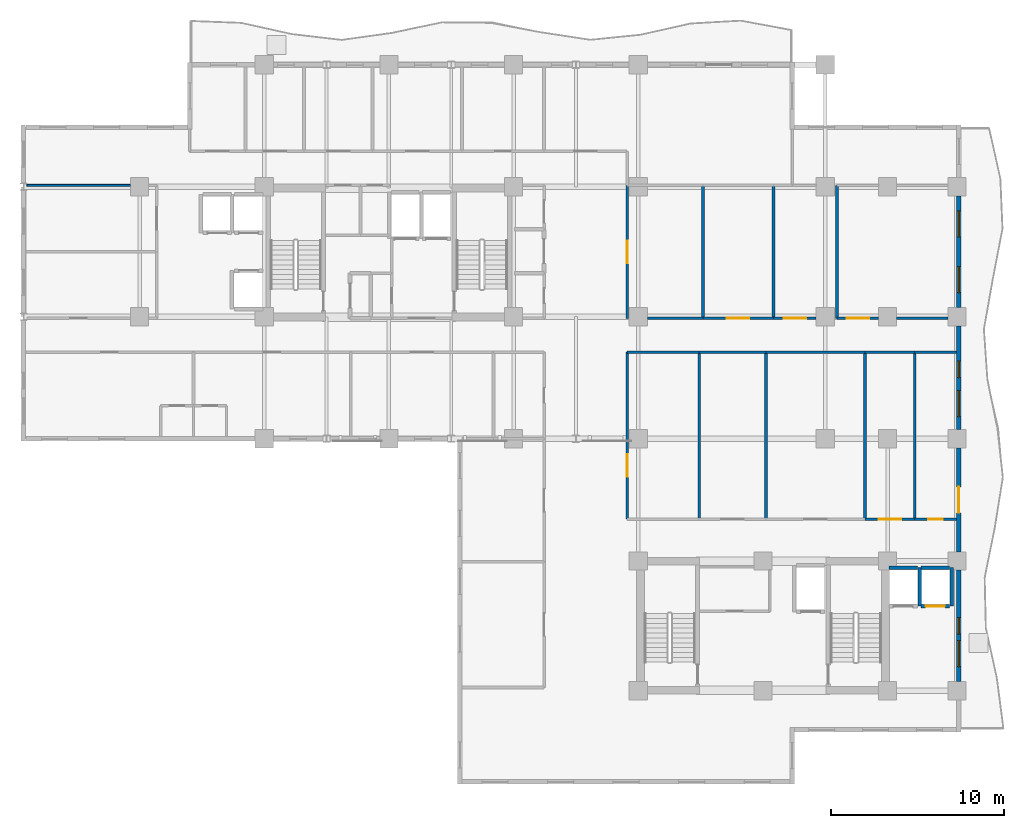
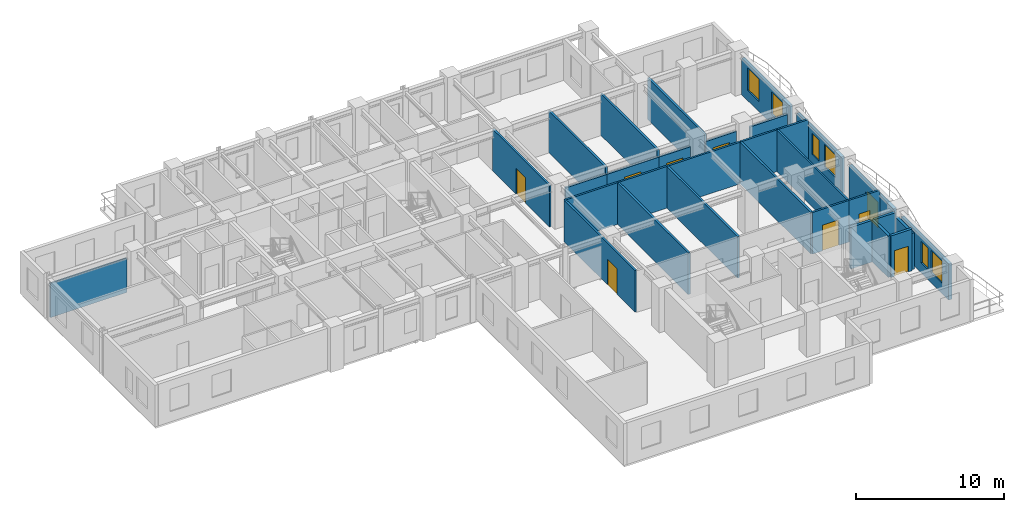
# One storey, part 7 of 13: 31 walls, 9 doors, 6 windows, 15 openings.
"""IFC4 building model written with IfcOpenShell, lengths in metres."""

import ifcopenshell
import ifcopenshell.guid

model = None  # the IFC model being written
_history = None  # IfcOwnerHistory: only IFC2X3 demands one
_inside = {}  # id of a spatial element -> (the spatial element, [elements in it])
_under = {}  # id of a project, library or spatial element -> (it, [spatial elements below it])
_declared = {}  # id of a project -> (the project, [libraries it declares])
_typed = {}  # id of a type object -> (the type object, [elements of that type])
_made_of = {}  # id of a material, layer set ... -> (it, [elements and type objects made of it])


def new_model(schema):
    """Start an empty IFC model of exactly this schema.

    Asked for "IFC4X3", IfcOpenShell would pick the latest addendum, in which some entities
    have other attributes; the version numbers below select the first issue.
    IFC2X3 requires an IfcOwnerHistory on every rooted entity: one is made here for all.
    """
    global model, _history
    if schema == "IFC4X3":
        model = ifcopenshell.file(schema_version=(4, 3, 0, 0))
    else:
        model = ifcopenshell.file(schema=schema)
    _inside.clear()
    _under.clear()
    _declared.clear()
    _typed.clear()
    _made_of.clear()
    _history = None
    if model.schema == "IFC2X3":
        org = make("IfcOrganization", Name="unknown")
        user = make(
            "IfcPersonAndOrganization",
            ThePerson=make("IfcPerson", FamilyName="unknown"),
            TheOrganization=org,
        )
        app = make(
            "IfcApplication",
            ApplicationDeveloper=org,
            Version="unknown",
            ApplicationFullName="unknown",
            ApplicationIdentifier="unknown",
        )
        _history = make(
            "IfcOwnerHistory",
            OwningUser=user,
            OwningApplication=app,
            ChangeAction="ADDED",
            CreationDate=0,
        )
    return model


def make(cls, **values):
    """One entity of the class cls with the attributes given. An attribute that is None is left unset."""
    return model.create_entity(
        cls, **{name: value for name, value in values.items() if value is not None}
    )


def rooted(cls, **values):
    """An entity with a GlobalId (a new one), such as an element, a storey or a relation."""
    return make(cls, GlobalId=ifcopenshell.guid.new(), OwnerHistory=_history, **values)


def si_unit(unit_type, name, prefix=None):
    """IfcSIUnit, for example si_unit("LENGTHUNIT", "METRE", prefix="MILLI")."""
    return make("IfcSIUnit", UnitType=unit_type, Prefix=prefix, Name=name)


def assignment(units):
    """IfcUnitAssignment: the units of a project."""
    return None if units is None else make("IfcUnitAssignment", Units=units)


def point(xyz):
    """IfcCartesianPoint."""
    return None if xyz is None else make("IfcCartesianPoint", Coordinates=xyz)


def direction(xyz):
    """IfcDirection."""
    return None if xyz is None else make("IfcDirection", DirectionRatios=xyz)


def frame(location, z_axis=None, x_axis=None):
    """IfcAxis2Placement3D, a coordinate frame: its origin and axes. An axis left out is left unset."""
    return make(
        "IfcAxis2Placement3D",
        Location=point(location),
        Axis=direction(z_axis),
        RefDirection=direction(x_axis),
    )


def frame_2d(location, x_axis=None):
    """IfcAxis2Placement2D, a coordinate frame in the plane: its origin and x axis."""
    return make(
        "IfcAxis2Placement2D", Location=point(location), RefDirection=direction(x_axis)
    )


def origin():
    """The frame at (0, 0, 0) with its axes left unset."""
    return frame((0.0, 0.0, 0.0))


def place(relative_to, where):
    """IfcLocalPlacement: puts the frame where relative to a parent placement (None: the world)."""
    return make(
        "IfcLocalPlacement", PlacementRelTo=relative_to, RelativePlacement=where
    )


def context(
    kind, dimensions, precision=None, world=None, true_north=None, identifier=None
):
    """IfcGeometricRepresentationContext, for example the 3D "Model" context."""
    return make(
        "IfcGeometricRepresentationContext",
        ContextIdentifier=identifier,
        ContextType=kind,
        CoordinateSpaceDimension=dimensions,
        Precision=precision,
        WorldCoordinateSystem=world,
        TrueNorth=true_north,
    )


def subcontext(parent, identifier, kind, view, scale=None):
    """IfcGeometricRepresentationSubContext, for example "Body" below "Model"."""
    return make(
        "IfcGeometricRepresentationSubContext",
        ContextIdentifier=identifier,
        ContextType=kind,
        ParentContext=parent,
        TargetScale=scale,
        TargetView=view,
    )


def project(units=None, contexts=None):
    """IfcProject with its units and contexts."""
    return rooted(
        "IfcProject",
        Name="project",
        RepresentationContexts=contexts,
        UnitsInContext=assignment(units),
    )


def spatial(cls, under=None, at=None, **own):
    """A site, building, storey or space (cls), placed at a placement, below another one or the project."""
    s = rooted(cls, ObjectPlacement=at, **own)
    if under is not None:
        _under.setdefault(under.id(), (under, []))[1].append(s)
    return s


def profile(cls, at=None, kind="AREA", **sizes):
    """A parametric profile (cls). Its sizes go by their IFC names, for example OverallWidth=200.0."""
    return make(cls, ProfileType=kind, Position=at, **sizes)


def rectangle(**sizes):
    """IfcRectangleProfileDef."""
    return profile("IfcRectangleProfileDef", **sizes)


def extrude(swept, where, along, depth):
    """IfcExtrudedAreaSolid: the profile swept, set in the frame where, extruded along a direction by depth."""
    return make(
        "IfcExtrudedAreaSolid",
        SweptArea=swept,
        Position=where,
        ExtrudedDirection=direction(along),
        Depth=depth,
    )


def shape(context_of_items, identifier, shape_type, items):
    """IfcShapeRepresentation: the items that make up one representation, for example the "Body"."""
    return make(
        "IfcShapeRepresentation",
        ContextOfItems=context_of_items,
        RepresentationIdentifier=identifier,
        RepresentationType=shape_type,
        Items=items,
    )


def material(Name=None, Category=None):
    """IfcMaterial."""
    return make("IfcMaterial", Name=Name, Category=Category)


def layer(
    of_material, thickness, ventilated=None, Name=None, Category=None, Priority=None
):
    """IfcMaterialLayer: one layer of a wall or slab, of a material (None: an air gap)."""
    return make(
        "IfcMaterialLayer",
        Material=of_material,
        LayerThickness=thickness,
        IsVentilated=ventilated,
        Name=Name,
        Category=Category,
        Priority=Priority,
    )


def layer_set(layers, Name=None):
    """IfcMaterialLayerSet."""
    return make("IfcMaterialLayerSet", MaterialLayers=layers, LayerSetName=Name)


def made_of(thing, what):
    """Note that an element or type object is made of a material, layer set ...; save() writes the relation."""
    if what is not None:
        _made_of.setdefault(what.id(), (what, []))[1].append(thing)
    return thing


def type_object(cls, material=None, **own):
    """A type object (cls), such as IfcWallType, which elements share."""
    return made_of(rooted(cls, **own), material)


def element(
    cls,
    number,
    at=None,
    inside=None,
    cuts=None,
    type_object=None,
    material=None,
    context=None,
    identifier="Body",
    shape_type=None,
    held_by="IfcProductDefinitionShape",
    body=None,
    shapes=None,
    **own,
):
    """One element of the class cls, such as IfcWall. Its Tag is "e" and its number.

    at: its placement. inside: the storey or other place that contains it. cuts: it is an
    opening in that element (IfcRelVoidsElement). A single representation is given by context,
    identifier, shape_type and body (its items); several are given by shapes. held_by: the class
    of the entity that holds the representations. save() writes the other relations.
    """
    e = rooted(cls, Tag="e%d" % number, ObjectPlacement=at, **own)
    if body is not None:
        shapes = [shape(context, identifier, shape_type, body)]
    if shapes is not None:
        e.Representation = make(held_by, Representations=shapes)
    if inside is not None:
        _inside.setdefault(inside.id(), (inside, []))[1].append(e)
    if cuts is not None:
        rooted(
            "IfcRelVoidsElement", RelatingBuildingElement=cuts, RelatedOpeningElement=e
        )
    if type_object is not None:
        _typed.setdefault(type_object.id(), (type_object, []))[1].append(e)
    return made_of(e, material)


def fill(opening, filler):
    """IfcRelFillsElement: the door or window that sits in an opening."""
    return rooted(
        "IfcRelFillsElement",
        RelatingOpeningElement=opening,
        RelatedBuildingElement=filler,
    )


def aggregate(whole, parts):
    """IfcRelAggregates: a whole, such as a stair, and the parts it consists of."""
    return rooted("IfcRelAggregates", RelatingObject=whole, RelatedObjects=parts)


def save(model, path):
    """Write the relations noted so far, then the file.

    IfcRelAggregates (storeys below a building ...), IfcRelContainedInSpatialStructure (elements
    in a storey), IfcRelDefinesByType, IfcRelAssociatesMaterial and IfcRelDeclares: one each for
    every whole, place, type object, material and project.
    """
    for whole, parts in _under.values():
        aggregate(whole, parts)
    for where, things in _inside.values():
        rooted(
            "IfcRelContainedInSpatialStructure",
            RelatedElements=things,
            RelatingStructure=where,
        )
    for kind, things in _typed.values():
        rooted("IfcRelDefinesByType", RelatedObjects=things, RelatingType=kind)
    for what, things in _made_of.values():
        rooted("IfcRelAssociatesMaterial", RelatedObjects=things, RelatingMaterial=what)
    for by, libraries in _declared.values():
        rooted("IfcRelDeclares", RelatingContext=by, RelatedDefinitions=libraries)
    model.write(path)


model = new_model("IFC4")

# Units and contexts
model_context = context("Model", 3, precision=1e-05, world=origin(), true_north=direction((0.0, 1.0)))
body_context = subcontext(model_context, "Body", "Model", "MODEL_VIEW")
ifc_project = project(units=[si_unit("LENGTHUNIT", "METRE"), si_unit("AREAUNIT", "SQUARE_METRE"), si_unit("VOLUMEUNIT", "CUBIC_METRE"), si_unit("PLANEANGLEUNIT", "RADIAN"), si_unit("MASSUNIT", "GRAM", prefix="KILO")], contexts=[model_context])

# Site, building, storey
site_placement = place(None, origin())
site = spatial("IfcSite", under=ifc_project, at=site_placement, CompositionType="ELEMENT")
building_placement = place(site_placement, origin())
building = spatial("IfcBuilding", under=site, at=building_placement, Name="Kaliganga Portal Commons", CompositionType="ELEMENT")
storey_placement = place(building_placement, frame((0.0, 0.0, 166.10009765625)))
storey = spatial("IfcBuildingStorey", under=building, at=storey_placement, Name="L42", CompositionType="ELEMENT", Elevation=166.10009765625)

# Wall, openings, windows
ifc_material_1 = material(Name="Insulated Aluminium-Clad Spandrel Assembly", Category="aluminium")
ifc_layer_1 = layer(ifc_material_1, 0.260009765625)
ifc_layer_set_1 = layer_set([ifc_layer_1], Name="Insulated Aluminium-Clad Spandrel Assembly")
wall_type_1 = type_object("IfcWallType", Name="WL-EXT-SPAND-260", PredefinedType="STANDARD", material=ifc_layer_set_1)
wall_1_placement = place(storey_placement, frame((54.5, 14.02392578125, 0.0), z_axis=(0.0, 0.0, 1.0), x_axis=(0.0, -1.0, 0.0)))
wall_1 = element("IfcWall", 1, at=wall_1_placement, inside=storey, type_object=wall_type_1, Name="Exterior Envelope Wall L42 P1-E03-S2", PredefinedType="STANDARD", context=body_context, shape_type="SweptSolid", body=[
    extrude(rectangle(XDim=6.447998046875, YDim=0.260009765625, at=frame_2d((3.22412109375, 0.0))), origin(), (0.0, 0.0, 1.0), 2.989990234375),
])
opening_1_placement = place(wall_1_placement, frame((4.0859375, 0.0, 0.85009765625)))
opening_1 = element("IfcOpeningElement", 2, at=opening_1_placement, cuts=wall_1, Name="Opening W-02", PredefinedType="OPENING", context=body_context, shape_type="SweptSolid", body=[
    extrude(rectangle(XDim=1.5, YDim=1.85009765625, at=frame_2d((0.75, 0.925048828125))), frame((0.0, 0.14013671875, 0.0), z_axis=(0.0, -1.0, 0.0), x_axis=(1.0, 0.0, 0.0)), (0.0, 0.0, 1.0), 0.280029296875),
])
opening_2_placement = place(wall_1_placement, frame((2.7490234375, 0.0, 0.85009765625)))
opening_2 = element("IfcOpeningElement", 3, at=opening_2_placement, cuts=wall_1, Name="Opening W-04", PredefinedType="OPENING", context=body_context, shape_type="SweptSolid", body=[
    extrude(rectangle(XDim=0.949951171875, YDim=1.75, at=frame_2d((0.47509765625, 0.875))), frame((0.0, 0.14013671875, 0.0), z_axis=(0.0, -1.0, 0.0), x_axis=(1.0, 0.0, 0.0)), (0.0, 0.0, 1.0), 0.280029296875),
])
ifc_material_2 = material(Name="Thermally Broken Aluminium and Low-E Double Glazing", Category="aluminium")
window_type_1 = type_object("IfcWindowType", Name="WIN-NARROW-950", PartitioningType="SINGLE_PANEL", PredefinedType="WINDOW", material=ifc_material_2)
window_1_placement = place(opening_2_placement, origin())
window_1 = element("IfcWindow", 4, at=window_1_placement, inside=storey, type_object=window_type_1, Name="Facade Window L42-P1E03S2-N0", OverallHeight=1.75, OverallWidth=0.949951171875, PartitioningType="SINGLE_PANEL", PredefinedType="WINDOW", context=body_context, shape_type="SweptSolid", body=[
    extrude(rectangle(XDim=0.949951171875, YDim=1.75, at=frame_2d((0.47509765625, 0.875))), frame((0.0, 0.030029296875, 0.0), z_axis=(0.0, -1.0, 0.0), x_axis=(1.0, 0.0, 0.0)), (0.0, 0.0, 1.0), 0.06005859375),
])
fill(opening_2, window_1)
window_type_2 = type_object("IfcWindowType", Name="WIN-STD-1500", PartitioningType="DOUBLE_PANEL_VERTICAL", PredefinedType="WINDOW", material=ifc_material_2)
window_2_placement = place(opening_1_placement, origin())
window_2 = element("IfcWindow", 5, at=window_2_placement, inside=storey, type_object=window_type_2, Name="Facade Window L42-P1E03S2-01", OverallHeight=1.85009765625, OverallWidth=1.5, PartitioningType="SINGLE_PANEL", PredefinedType="WINDOW", context=body_context, shape_type="SweptSolid", body=[
    extrude(rectangle(XDim=1.5, YDim=1.85009765625, at=frame_2d((0.75, 0.925048828125))), frame((0.0, 0.030029296875, 0.0), z_axis=(0.0, -1.0, 0.0), x_axis=(1.0, 0.0, 0.0)), (0.0, 0.0, 1.0), 0.06005859375),
])
fill(opening_1, window_2)

# Wall, opening, door
wall_2_placement = place(storey_placement, frame((54.5, 21.073974609375, 0.0), z_axis=(0.0, 0.0, 1.0), x_axis=(0.0, -1.0, 0.0)))
wall_2 = element("IfcWall", 6, at=wall_2_placement, inside=storey, type_object=wall_type_1, Name="Exterior Envelope Wall L42 P1-E03-S3", PredefinedType="STANDARD", context=body_context, shape_type="SweptSolid", body=[
    extrude(rectangle(XDim=5.998046875, YDim=0.260009765625, at=frame_2d((2.9990234375, 0.0))), origin(), (0.0, 0.0, 1.0), 2.989990234375),
])
opening_3_placement = place(wall_2_placement, frame((2.2490234375, 0.0, 0.0)))
opening_3 = element("IfcOpeningElement", 7, at=opening_3_placement, cuts=wall_2, Name="Opening BD-01", PredefinedType="OPENING", context=body_context, shape_type="SweptSolid", body=[
    extrude(rectangle(XDim=1.5, YDim=2.14990234375, at=frame_2d((0.75, 1.074951171875))), frame((0.0, 0.14013671875, 0.0), z_axis=(0.0, -1.0, 0.0), x_axis=(1.0, 0.0, 0.0)), (0.0, 0.0, 1.0), 0.280029296875),
])
ifc_material_3 = material(Name="Anodized Aluminium and Laminated Safety Glass", Category="aluminium")
door_type_1 = type_object("IfcDoorType", Name="DR-BALC-1500", OperationType="SLIDING_TO_LEFT", PredefinedType="DOOR", material=ifc_material_3)
door_1_placement = place(opening_3_placement, origin())
door_1 = element("IfcDoor", 8, at=door_1_placement, inside=storey, type_object=door_type_1, Name="Balcony Sliding Door L42 balc_east", OperationType="SLIDING_TO_LEFT", OverallHeight=2.14990234375, OverallWidth=1.5, PredefinedType="DOOR", context=body_context, shape_type="SweptSolid", body=[
    extrude(rectangle(XDim=1.5, YDim=2.14990234375, at=frame_2d((0.75, 1.074951171875))), frame((0.0, 0.02490234375, 0.0), z_axis=(0.0, -1.0, 0.0), x_axis=(1.0, 0.0, 0.0)), (0.0, 0.0, 1.0), 0.050048828125),
])
fill(opening_3, door_1)

# Wall, openings, windows
wall_3_placement = place(storey_placement, frame((54.5, 28.1240234375, 0.0), z_axis=(0.0, 0.0, 1.0), x_axis=(0.0, -1.0, 0.0)))
wall_3 = element("IfcWall", 9, at=wall_3_placement, inside=storey, type_object=wall_type_1, Name="Exterior Envelope Wall L42 P1-E03-S4", PredefinedType="STANDARD", context=body_context, shape_type="SweptSolid", body=[
    extrude(rectangle(XDim=5.998046875, YDim=0.260009765625, at=frame_2d((2.9990234375, 0.0))), origin(), (0.0, 0.0, 1.0), 2.989990234375),
])
opening_4_placement = place(wall_3_placement, frame((3.74853515625, 0.0, 0.85009765625)))
opening_4 = element("IfcOpeningElement", 10, at=opening_4_placement, cuts=wall_3, Name="Opening W-02", PredefinedType="OPENING", context=body_context, shape_type="SweptSolid", body=[
    extrude(rectangle(XDim=1.5, YDim=1.85009765625, at=frame_2d((0.75, 0.925048828125))), frame((0.0, 0.14013671875, 0.0), z_axis=(0.0, -1.0, 0.0), x_axis=(1.0, 0.0, 0.0)), (0.0, 0.0, 1.0), 0.280029296875),
])
opening_5_placement = place(wall_3_placement, frame((2.044189453125, 0.0, 0.85009765625)))
opening_5 = element("IfcOpeningElement", 11, at=opening_5_placement, cuts=wall_3, Name="Opening W-04", PredefinedType="OPENING", context=body_context, shape_type="SweptSolid", body=[
    extrude(rectangle(XDim=0.949951171875, YDim=1.75, at=frame_2d((0.47509765625, 0.875))), frame((0.0, 0.14013671875, 0.0), z_axis=(0.0, -1.0, 0.0), x_axis=(1.0, 0.0, 0.0)), (0.0, 0.0, 1.0), 0.280029296875),
])
window_3_placement = place(opening_5_placement, origin())
window_3 = element("IfcWindow", 12, at=window_3_placement, inside=storey, type_object=window_type_1, Name="Facade Window L42-P1E03S4-N5", OverallHeight=1.75, OverallWidth=0.949951171875, PartitioningType="SINGLE_PANEL", PredefinedType="WINDOW", context=body_context, shape_type="SweptSolid", body=[
    extrude(rectangle(XDim=0.949951171875, YDim=1.75, at=frame_2d((0.47509765625, 0.875))), frame((0.0, 0.030029296875, 0.0), z_axis=(0.0, -1.0, 0.0), x_axis=(1.0, 0.0, 0.0)), (0.0, 0.0, 1.0), 0.06005859375),
])
fill(opening_5, window_3)
window_4_placement = place(opening_4_placement, origin())
window_4 = element("IfcWindow", 13, at=window_4_placement, inside=storey, type_object=window_type_2, Name="Facade Window L42-P1E03S4-01", OverallHeight=1.85009765625, OverallWidth=1.5, PartitioningType="SINGLE_PANEL", PredefinedType="WINDOW", context=body_context, shape_type="SweptSolid", body=[
    extrude(rectangle(XDim=1.5, YDim=1.85009765625, at=frame_2d((0.75, 0.925048828125))), frame((0.0, 0.030029296875, 0.0), z_axis=(0.0, -1.0, 0.0), x_axis=(1.0, 0.0, 0.0)), (0.0, 0.0, 1.0), 0.06005859375),
])
fill(opening_4, window_4)

wall_4_placement = place(storey_placement, frame((54.5, 35.6240234375, 0.0), z_axis=(0.0, 0.0, 1.0), x_axis=(0.0, -1.0, 0.0)))
wall_4 = element("IfcWall", 14, at=wall_4_placement, inside=storey, type_object=wall_type_1, Name="Exterior Envelope Wall L42 P1-E03-S5", PredefinedType="STANDARD", context=body_context, shape_type="SweptSolid", body=[
    extrude(rectangle(XDim=6.447998046875, YDim=0.260009765625, at=frame_2d((3.22412109375, 0.0))), origin(), (0.0, 0.0, 1.0), 2.989990234375),
])
opening_6_placement = place(wall_4_placement, frame((0.862060546875, 0.0, 0.85009765625)))
opening_6 = element("IfcOpeningElement", 15, at=opening_6_placement, cuts=wall_4, Name="Opening W-02", PredefinedType="OPENING", context=body_context, shape_type="SweptSolid", body=[
    extrude(rectangle(XDim=1.5, YDim=1.85009765625, at=frame_2d((0.75, 0.925048828125))), frame((0.0, 0.14013671875, 0.0), z_axis=(0.0, -1.0, 0.0), x_axis=(1.0, 0.0, 0.0)), (0.0, 0.0, 1.0), 0.280029296875),
])
opening_7_placement = place(wall_4_placement, frame((4.0859375, 0.0, 0.85009765625)))
opening_7 = element("IfcOpeningElement", 16, at=opening_7_placement, cuts=wall_4, Name="Opening W-02", PredefinedType="OPENING", context=body_context, shape_type="SweptSolid", body=[
    extrude(rectangle(XDim=1.5, YDim=1.85009765625, at=frame_2d((0.75, 0.925048828125))), frame((0.0, 0.14013671875, 0.0), z_axis=(0.0, -1.0, 0.0), x_axis=(1.0, 0.0, 0.0)), (0.0, 0.0, 1.0), 0.280029296875),
])
window_5_placement = place(opening_6_placement, origin())
window_5 = element("IfcWindow", 17, at=window_5_placement, inside=storey, type_object=window_type_2, Name="Facade Window L42-P1E03S5-00", OverallHeight=1.85009765625, OverallWidth=1.5, PartitioningType="SINGLE_PANEL", PredefinedType="WINDOW", context=body_context, shape_type="SweptSolid", body=[
    extrude(rectangle(XDim=1.5, YDim=1.85009765625, at=frame_2d((0.75, 0.925048828125))), frame((0.0, 0.030029296875, 0.0), z_axis=(0.0, -1.0, 0.0), x_axis=(1.0, 0.0, 0.0)), (0.0, 0.0, 1.0), 0.06005859375),
])
fill(opening_6, window_5)
window_6_placement = place(opening_7_placement, origin())
window_6 = element("IfcWindow", 18, at=window_6_placement, inside=storey, type_object=window_type_2, Name="Facade Window L42-P1E03S5-01", OverallHeight=1.85009765625, OverallWidth=1.5, PartitioningType="SINGLE_PANEL", PredefinedType="WINDOW", context=body_context, shape_type="SweptSolid", body=[
    extrude(rectangle(XDim=1.5, YDim=1.85009765625, at=frame_2d((0.75, 0.925048828125))), frame((0.0, 0.030029296875, 0.0), z_axis=(0.0, -1.0, 0.0), x_axis=(1.0, 0.0, 0.0)), (0.0, 0.0, 1.0), 0.06005859375),
])
fill(opening_7, window_6)

# Wall, opening, door
ifc_material_4 = material(Name="Fire-Rated Gypsum Board on Steel Stud", Category="steel")
ifc_layer_2 = layer(ifc_material_4, 0.14990234375)
ifc_layer_set_2 = layer_set([ifc_layer_2], Name="Fire-Rated Gypsum Board on Steel Stud")
wall_type_2 = type_object("IfcWallType", Name="WL-PART-CORR-150", PredefinedType="PARTITIONING", material=ifc_layer_set_2)
wall_5_placement = place(storey_placement, frame((35.360107421875, 16.9599609375, 0.0), z_axis=(0.0, 0.0, 1.0), x_axis=(0.0, 1.0, 0.0)))
wall_5 = element("IfcWall", 19, at=wall_5_placement, inside=storey, type_object=wall_type_2, Name="Interior Partition L42-007", PredefinedType="PARTITIONING", context=body_context, shape_type="SweptSolid", body=[
    extrude(rectangle(XDim=9.64013671875, YDim=0.14990234375, at=frame_2d((4.820068359375, 0.0))), origin(), (0.0, 0.0, 1.0), 3.43994140625),
])
opening_8_placement = place(wall_5_placement, frame((2.434814453125, 0.0, 0.0)))
opening_8 = element("IfcOpeningElement", 20, at=opening_8_placement, cuts=wall_5, Name="Opening RD-03", PredefinedType="OPENING", context=body_context, shape_type="SweptSolid", body=[
    extrude(rectangle(XDim=1.300048828125, YDim=2.1201171875, at=frame_2d((0.64990234375, 1.06005859375))), frame((0.0, 0.0849609375, 0.0), z_axis=(0.0, -1.0, 0.0), x_axis=(1.0, 0.0, 0.0)), (0.0, 0.0, 1.0), 0.169921875),
])
ifc_material_5 = material(Name="Glazed Timber Seminar Vision Door", Category="wood")
door_type_2 = type_object("IfcDoorType", Name="DR-STUDY-1300", OperationType="DOUBLE_DOOR_SINGLE_SWING", PredefinedType="DOOR", material=ifc_material_5)
door_2_placement = place(opening_8_placement, origin())
door_2 = element("IfcDoor", 21, at=door_2_placement, inside=storey, type_object=door_type_2, Name="Interior Door L42-BM01", OperationType="DOUBLE_DOOR_SINGLE_SWING", OverallHeight=2.1201171875, OverallWidth=1.300048828125, PredefinedType="DOOR", context=body_context, shape_type="SweptSolid", body=[
    extrude(rectangle(XDim=1.300048828125, YDim=2.1201171875, at=frame_2d((0.64990234375, 1.06005859375))), frame((0.0, 0.02490234375, 0.0), z_axis=(0.0, -1.0, 0.0), x_axis=(1.0, 0.0, 0.0)), (0.0, 0.0, 1.0), 0.050048828125),
])
fill(opening_8, door_2)

wall_6_placement = place(storey_placement, frame((35.360107421875, 28.56005859375, 0.0), z_axis=(0.0, 0.0, 1.0), x_axis=(0.0, 1.0, 0.0)))
wall_6 = element("IfcWall", 22, at=wall_6_placement, inside=storey, type_object=wall_type_2, Name="Interior Partition L42-012", PredefinedType="PARTITIONING", context=body_context, shape_type="SweptSolid", body=[
    extrude(rectangle(XDim=7.679931640625, YDim=0.14990234375, at=frame_2d((3.83984375, 0.0))), origin(), (0.0, 0.0, 1.0), 3.43994140625),
])
opening_9_placement = place(wall_6_placement, frame((3.18994140625, 0.0, 0.0)))
opening_9 = element("IfcOpeningElement", 23, at=opening_9_placement, cuts=wall_6, Name="Opening RD-03", PredefinedType="OPENING", context=body_context, shape_type="SweptSolid", body=[
    extrude(rectangle(XDim=1.300048828125, YDim=2.1201171875, at=frame_2d((0.64990234375, 1.06005859375))), frame((0.0, 0.0849609375, 0.0), z_axis=(0.0, -1.0, 0.0), x_axis=(1.0, 0.0, 0.0)), (0.0, 0.0, 1.0), 0.169921875),
])
door_3_placement = place(opening_9_placement, origin())
door_3 = element("IfcDoor", 24, at=door_3_placement, inside=storey, type_object=door_type_2, Name="Interior Door L42-BK01", OperationType="DOUBLE_DOOR_SINGLE_SWING", OverallHeight=2.1201171875, OverallWidth=1.300048828125, PredefinedType="DOOR", context=body_context, shape_type="SweptSolid", body=[
    extrude(rectangle(XDim=1.300048828125, YDim=2.1201171875, at=frame_2d((0.64990234375, 1.06005859375))), frame((0.0, 0.02490234375, 0.0), z_axis=(0.0, -1.0, 0.0), x_axis=(1.0, 0.0, 0.0)), (0.0, 0.0, 1.0), 0.050048828125),
])
fill(opening_9, door_3)

wall_7_placement = place(storey_placement, frame((47.47998046875, 28.56005859375, 0.0), z_axis=(0.0, 0.0, 1.0), x_axis=(1.0, 0.0, 0.0)))
wall_7 = element("IfcWall", 25, at=wall_7_placement, inside=storey, type_object=wall_type_2, Name="Interior Partition L42-015", PredefinedType="PARTITIONING", context=body_context, shape_type="SweptSolid", body=[
    extrude(rectangle(XDim=2.39501953125, YDim=0.14990234375, at=frame_2d((1.197509765625, 0.0))), origin(), (0.0, 0.0, 1.0), 2.83984375),
])
opening_10_placement = place(wall_7_placement, frame((0.547607421875, 0.0, 0.0)))
opening_10 = element("IfcOpeningElement", 26, at=opening_10_placement, cuts=wall_7, Name="Opening RD-03", PredefinedType="OPENING", context=body_context, shape_type="SweptSolid", body=[
    extrude(rectangle(XDim=1.300048828125, YDim=2.1201171875, at=frame_2d((0.64990234375, 1.06005859375))), frame((0.0, 0.0849609375, 0.0), z_axis=(0.0, -1.0, 0.0), x_axis=(1.0, 0.0, 0.0)), (0.0, 0.0, 1.0), 0.169921875),
])
door_4_placement = place(opening_10_placement, origin())
door_4 = element("IfcDoor", 27, at=door_4_placement, inside=storey, type_object=door_type_2, Name="Interior Door L42-BK04", OperationType="DOUBLE_DOOR_SINGLE_SWING", OverallHeight=2.1201171875, OverallWidth=1.300048828125, PredefinedType="DOOR", context=body_context, shape_type="SweptSolid", body=[
    extrude(rectangle(XDim=1.300048828125, YDim=2.1201171875, at=frame_2d((0.64990234375, 1.06005859375))), frame((0.0, 0.02490234375, 0.0), z_axis=(0.0, -1.0, 0.0), x_axis=(1.0, 0.0, 0.0)), (0.0, 0.0, 1.0), 0.050048828125),
])
fill(opening_10, door_4)

# Walls
wall_8_placement = place(storey_placement, frame((50.925048828125, 28.56005859375, 0.0), z_axis=(0.0, 0.0, 1.0), x_axis=(1.0, 0.0, 0.0)))
element("IfcWall", 28, at=wall_8_placement, inside=storey, type_object=wall_type_2, Name="Interior Partition L42-016", PredefinedType="PARTITIONING", context=body_context, shape_type="SweptSolid", body=[
    extrude(rectangle(XDim=2.949951171875, YDim=0.14990234375, at=frame_2d((1.47509765625, 0.0))), origin(), (0.0, 0.0, 1.0), 2.83984375),
])
wall_9_placement = place(storey_placement, frame((43.3798828125, 26.60009765625, 0.0), z_axis=(0.0, 0.0, 1.0), x_axis=(1.0, 0.0, 0.0)))
element("IfcWall", 29, at=wall_9_placement, inside=storey, type_object=wall_type_2, Name="Interior Partition L42-018", PredefinedType="PARTITIONING", context=body_context, shape_type="SweptSolid", body=[
    extrude(rectangle(XDim=5.72021484375, YDim=0.14990234375, at=frame_2d((2.860107421875, 0.0))), origin(), (0.0, 0.0, 1.0), 3.43994140625),
])
wall_10_placement = place(storey_placement, frame((36.52490234375, 28.56005859375, 0.0), z_axis=(0.0, 0.0, 1.0), x_axis=(1.0, 0.0, 0.0)))
element("IfcWall", 30, at=wall_10_placement, inside=storey, type_object=wall_type_2, Name="Interior Partition L42-024", PredefinedType="PARTITIONING", context=body_context, shape_type="SweptSolid", body=[
    extrude(rectangle(XDim=3.215087890625, YDim=0.14990234375, at=frame_2d((1.607421875, 0.0))), origin(), (0.0, 0.0, 1.0), 2.83984375),
])
wall_11_placement = place(storey_placement, frame((35.360107421875, 26.60009765625, 0.0), z_axis=(0.0, 0.0, 1.0), x_axis=(1.0, 0.0, 0.0)))
element("IfcWall", 31, at=wall_11_placement, inside=storey, type_object=wall_type_2, Name="Interior Partition L42-026", PredefinedType="PARTITIONING", context=body_context, shape_type="SweptSolid", body=[
    extrude(rectangle(XDim=4.159912109375, YDim=0.14990234375, at=frame_2d((2.080078125, 0.0))), origin(), (0.0, 0.0, 1.0), 3.43994140625),
])

# Wall, opening, door
wall_12_placement = place(storey_placement, frame((39.739990234375, 28.56005859375, 0.0), z_axis=(0.0, 0.0, 1.0), x_axis=(1.0, 0.0, 0.0)))
wall_12 = element("IfcWall", 32, at=wall_12_placement, inside=storey, type_object=wall_type_2, Name="Interior Partition L42-028", PredefinedType="PARTITIONING", context=body_context, shape_type="SweptSolid", body=[
    extrude(rectangle(XDim=4.06005859375, YDim=0.14990234375, at=frame_2d((2.030029296875, 0.0))), origin(), (0.0, 0.0, 1.0), 2.83984375),
])
opening_11_placement = place(wall_12_placement, frame((1.3798828125, 0.0, 0.0)))
opening_11 = element("IfcOpeningElement", 33, at=opening_11_placement, cuts=wall_12, Name="Opening RD-03", PredefinedType="OPENING", context=body_context, shape_type="SweptSolid", body=[
    extrude(rectangle(XDim=1.300048828125, YDim=2.1201171875, at=frame_2d((0.64990234375, 1.06005859375))), frame((0.0, 0.0849609375, 0.0), z_axis=(0.0, -1.0, 0.0), x_axis=(1.0, 0.0, 0.0)), (0.0, 0.0, 1.0), 0.169921875),
])
door_5_placement = place(opening_11_placement, origin())
door_5 = element("IfcDoor", 34, at=door_5_placement, inside=storey, type_object=door_type_2, Name="Interior Door L42-BK02", OperationType="DOUBLE_DOOR_SINGLE_SWING", OverallHeight=2.1201171875, OverallWidth=1.300048828125, PredefinedType="DOOR", context=body_context, shape_type="SweptSolid", body=[
    extrude(rectangle(XDim=1.300048828125, YDim=2.1201171875, at=frame_2d((0.64990234375, 1.06005859375))), frame((0.0, 0.02490234375, 0.0), z_axis=(0.0, -1.0, 0.0), x_axis=(1.0, 0.0, 0.0)), (0.0, 0.0, 1.0), 0.050048828125),
])
fill(opening_11, door_5)

# Wall
wall_13_placement = place(storey_placement, frame((39.52001953125, 26.60009765625, 0.0), z_axis=(0.0, 0.0, 1.0), x_axis=(1.0, 0.0, 0.0)))
element("IfcWall", 35, at=wall_13_placement, inside=storey, type_object=wall_type_2, Name="Interior Partition L42-031", PredefinedType="PARTITIONING", context=body_context, shape_type="SweptSolid", body=[
    extrude(rectangle(XDim=3.85986328125, YDim=0.14990234375, at=frame_2d((1.929931640625, 0.0))), origin(), (0.0, 0.0, 1.0), 3.43994140625),
])

# Wall, opening, door
wall_14_placement = place(storey_placement, frame((43.800048828125, 28.56005859375, 0.0), z_axis=(0.0, 0.0, 1.0), x_axis=(1.0, 0.0, 0.0)))
wall_14 = element("IfcWall", 36, at=wall_14_placement, inside=storey, type_object=wall_type_2, Name="Interior Partition L42-034", PredefinedType="PARTITIONING", context=body_context, shape_type="SweptSolid", body=[
    extrude(rectangle(XDim=2.474853515625, YDim=0.14990234375, at=frame_2d((1.2373046875, 0.0))), origin(), (0.0, 0.0, 1.0), 2.83984375),
])
opening_12_placement = place(wall_14_placement, frame((0.58740234375, 0.0, 0.0)))
opening_12 = element("IfcOpeningElement", 37, at=opening_12_placement, cuts=wall_14, Name="Opening RD-03", PredefinedType="OPENING", context=body_context, shape_type="SweptSolid", body=[
    extrude(rectangle(XDim=1.300048828125, YDim=2.1201171875, at=frame_2d((0.64990234375, 1.06005859375))), frame((0.0, 0.0849609375, 0.0), z_axis=(0.0, -1.0, 0.0), x_axis=(1.0, 0.0, 0.0)), (0.0, 0.0, 1.0), 0.169921875),
])
door_6_placement = place(opening_12_placement, origin())
door_6 = element("IfcDoor", 38, at=door_6_placement, inside=storey, type_object=door_type_2, Name="Interior Door L42-BK03", OperationType="DOUBLE_DOOR_SINGLE_SWING", OverallHeight=2.1201171875, OverallWidth=1.300048828125, PredefinedType="DOOR", context=body_context, shape_type="SweptSolid", body=[
    extrude(rectangle(XDim=1.300048828125, YDim=2.1201171875, at=frame_2d((0.64990234375, 1.06005859375))), frame((0.0, 0.02490234375, 0.0), z_axis=(0.0, -1.0, 0.0), x_axis=(1.0, 0.0, 0.0)), (0.0, 0.0, 1.0), 0.050048828125),
])
fill(opening_12, door_6)

wall_15_placement = place(storey_placement, frame((49.10009765625, 16.9599609375, 0.0), z_axis=(0.0, 0.0, 1.0), x_axis=(1.0, 0.0, 0.0)))
wall_15 = element("IfcWall", 39, at=wall_15_placement, inside=storey, type_object=wall_type_2, Name="Interior Partition L42-038", PredefinedType="PARTITIONING", context=body_context, shape_type="SweptSolid", body=[
    extrude(rectangle(XDim=2.85986328125, YDim=0.14990234375, at=frame_2d((1.429931640625, 0.0))), origin(), (0.0, 0.0, 1.0), 3.43994140625),
])
opening_13_placement = place(wall_15_placement, frame((0.780029296875, 0.0, 0.0)))
opening_13 = element("IfcOpeningElement", 40, at=opening_13_placement, cuts=wall_15, Name="Opening RD-03", PredefinedType="OPENING", context=body_context, shape_type="SweptSolid", body=[
    extrude(rectangle(XDim=1.300048828125, YDim=2.1201171875, at=frame_2d((0.64990234375, 1.06005859375))), frame((0.0, 0.0849609375, 0.0), z_axis=(0.0, -1.0, 0.0), x_axis=(1.0, 0.0, 0.0)), (0.0, 0.0, 1.0), 0.169921875),
])
door_7_placement = place(opening_13_placement, origin())
door_7 = element("IfcDoor", 41, at=door_7_placement, inside=storey, type_object=door_type_2, Name="Interior Door L42-BM04", OperationType="DOUBLE_DOOR_SINGLE_SWING", OverallHeight=2.1201171875, OverallWidth=1.300048828125, PredefinedType="DOOR", context=body_context, shape_type="SweptSolid", body=[
    extrude(rectangle(XDim=1.300048828125, YDim=2.1201171875, at=frame_2d((0.64990234375, 1.06005859375))), frame((0.0, 0.02490234375, 0.0), z_axis=(0.0, -1.0, 0.0), x_axis=(1.0, 0.0, 0.0)), (0.0, 0.0, 1.0), 0.050048828125),
])
fill(opening_13, door_7)

# Wall
wall_16_placement = place(storey_placement, frame((49.10009765625, 26.60009765625, 0.0), z_axis=(0.0, 0.0, 1.0), x_axis=(1.0, 0.0, 0.0)))
element("IfcWall", 42, at=wall_16_placement, inside=storey, type_object=wall_type_2, Name="Interior Partition L42-039", PredefinedType="PARTITIONING", context=body_context, shape_type="SweptSolid", body=[
    extrude(rectangle(XDim=2.85986328125, YDim=0.14990234375, at=frame_2d((1.429931640625, 0.0))), origin(), (0.0, 0.0, 1.0), 3.43994140625),
])

# Wall, opening, door
wall_17_placement = place(storey_placement, frame((51.9599609375, 16.9599609375, 0.0), z_axis=(0.0, 0.0, 1.0), x_axis=(1.0, 0.0, 0.0)))
wall_17 = element("IfcWall", 43, at=wall_17_placement, inside=storey, type_object=wall_type_2, Name="Interior Partition L42-044", PredefinedType="PARTITIONING", context=body_context, shape_type="SweptSolid", body=[
    extrude(rectangle(XDim=2.407958984375, YDim=0.14990234375, at=frame_2d((1.2041015625, 0.0))), origin(), (0.0, 0.0, 1.0), 3.43994140625),
])
opening_14_placement = place(wall_17_placement, frame((0.779052734375, 0.0, 0.0)))
opening_14 = element("IfcOpeningElement", 44, at=opening_14_placement, cuts=wall_17, Name="Opening WD-01", PredefinedType="OPENING", context=body_context, shape_type="SweptSolid", body=[
    extrude(rectangle(XDim=0.85009765625, YDim=2.0400390625, at=frame_2d((0.425048828125, 1.02001953125))), frame((0.0, 0.0849609375, 0.0), z_axis=(0.0, -1.0, 0.0), x_axis=(1.0, 0.0, 0.0)), (0.0, 0.0, 1.0), 0.169921875),
])
ifc_material_6 = material(Name="Moisture-Resistant Laminate Timber Door", Category="wood")
door_type_3 = type_object("IfcDoorType", Name="DR-WET-850", OperationType="NOTDEFINED", PredefinedType="DOOR", material=ifc_material_6)
door_8_placement = place(opening_14_placement, origin())
door_8 = element("IfcDoor", 45, at=door_8_placement, inside=storey, type_object=door_type_3, Name="Interior Door L42-BM05", OperationType="SINGLE_SWING_RIGHT", OverallHeight=2.0400390625, OverallWidth=0.85009765625, PredefinedType="DOOR", context=body_context, shape_type="SweptSolid", body=[
    extrude(rectangle(XDim=0.85009765625, YDim=2.0400390625, at=frame_2d((0.425048828125, 1.02001953125))), frame((0.0, 0.02490234375, 0.0), z_axis=(0.0, -1.0, 0.0), x_axis=(1.0, 0.0, 0.0)), (0.0, 0.0, 1.0), 0.050048828125),
])
fill(opening_14, door_8)

# Walls
wall_18_placement = place(storey_placement, frame((51.9599609375, 26.60009765625, 0.0), z_axis=(0.0, 0.0, 1.0), x_axis=(1.0, 0.0, 0.0)))
element("IfcWall", 46, at=wall_18_placement, inside=storey, type_object=wall_type_2, Name="Interior Partition L42-045", PredefinedType="PARTITIONING", context=body_context, shape_type="SweptSolid", body=[
    extrude(rectangle(XDim=2.407958984375, YDim=0.14990234375, at=frame_2d((1.2041015625, 0.0))), origin(), (0.0, 0.0, 1.0), 3.43994140625),
])
ifc_material_7 = material(Name="Moisture-Resistant Gypsum Partition", Category="gypsum")
ifc_layer_3 = layer(ifc_material_7, 0.114990234375)
ifc_layer_set_3 = layer_set([ifc_layer_3], Name="Moisture-Resistant Gypsum Partition")
wall_type_3 = type_object("IfcWallType", Name="WL-PART-ROOM-115", PredefinedType="PARTITIONING", material=ifc_layer_set_3)
wall_19_placement = place(storey_placement, frame((0.701904296875, 36.239990234375, 0.0), z_axis=(0.0, 0.0, 1.0), x_axis=(1.0, 0.0, 0.0)))
element("IfcWall", 47, at=wall_19_placement, inside=storey, type_object=wall_type_3, Name="Interior Partition L42-063", PredefinedType="PARTITIONING", context=body_context, shape_type="SweptSolid", body=[
    extrude(rectangle(XDim=5.97314453125, YDim=0.114990234375, at=frame_2d((2.986572265625, 0.0))), origin(), (0.0, 0.0, 1.0), 2.83984375),
])
ifc_material_8 = material(Name="Twin-Stud Acoustic Gypsum Partition", Category="gypsum")
ifc_layer_4 = layer(ifc_material_8, 0.1650390625)
ifc_layer_set_4 = layer_set([ifc_layer_4], Name="Twin-Stud Acoustic Gypsum Partition")
wall_type_4 = type_object("IfcWallType", Name="WL-PART-UNIT-165", PredefinedType="PARTITIONING", material=ifc_layer_set_4)
for number, where, z_axis, x_axis, name in (
    (48, (39.52001953125, 16.9599609375, 0.0), (0.0, 0.0, 1.0), (0.0, 1.0, 0.0), "Interior Partition L42-058"),
    (49, (43.3798828125, 16.9599609375, 0.0), (0.0, 0.0, 1.0), (0.0, 1.0, 0.0), "Interior Partition L42-059"),
    (50, (49.10009765625, 16.9599609375, 0.0), (0.0, 0.0, 1.0), (0.0, 1.0, 0.0), "Interior Partition L42-060"),
):
    element("IfcWall", number, at=place(storey_placement, frame(where, z_axis=z_axis, x_axis=x_axis)), inside=storey, type_object=wall_type_4, Name=name, PredefinedType="PARTITIONING", context=body_context, shape_type="SweptSolid", body=[
        extrude(rectangle(XDim=9.64013671875, YDim=0.1650390625, at=frame_2d((4.820068359375, 0.0))), origin(), (0.0, 0.0, 1.0), 3.43994140625),
    ])
for number, where, z_axis, x_axis, name in (
    (51, (39.739990234375, 28.56005859375, 0.0), (0.0, 0.0, 1.0), (0.0, 1.0, 0.0), "Interior Partition L42-065"),
    (52, (43.800048828125, 28.56005859375, 0.0), (0.0, 0.0, 1.0), (0.0, 1.0, 0.0), "Interior Partition L42-066"),
    (53, (47.47998046875, 28.56005859375, 0.0), (0.0, 0.0, 1.0), (0.0, 1.0, 0.0), "Interior Partition L42-067"),
):
    element("IfcWall", number, at=place(storey_placement, frame(where, z_axis=z_axis, x_axis=x_axis)), inside=storey, type_object=wall_type_4, Name=name, PredefinedType="PARTITIONING", context=body_context, shape_type="SweptSolid", body=[
        extrude(rectangle(XDim=7.679931640625, YDim=0.1650390625, at=frame_2d((3.83984375, 0.0))), origin(), (0.0, 0.0, 1.0), 3.43994140625),
    ])
ifc_material_9 = material(Name="Cement-Board Wet-Room Partition", Category="gypsum")
ifc_layer_5 = layer(ifc_material_9, 0.135009765625)
ifc_layer_set_5 = layer_set([ifc_layer_5], Name="Cement-Board Wet-Room Partition")
wall_type_5 = type_object("IfcWallType", Name="WL-PART-WET-135", PredefinedType="PARTITIONING", material=ifc_layer_set_5)
wall_20_placement = place(storey_placement, frame((51.9599609375, 16.9599609375, 0.0), z_axis=(0.0, 0.0, 1.0), x_axis=(0.0, 1.0, 0.0)))
element("IfcWall", 54, at=wall_20_placement, inside=storey, type_object=wall_type_5, Name="Interior Partition L42-061", PredefinedType="PARTITIONING", context=body_context, shape_type="SweptSolid", body=[
    extrude(rectangle(XDim=9.64013671875, YDim=0.135009765625, at=frame_2d((4.820068359375, 0.0))), origin(), (0.0, 0.0, 1.0), 3.43994140625),
])
ifc_material_10 = material(Name="Fire-Rated Shaftwall Masonry Assembly", Category="masonry")
ifc_layer_6 = layer(ifc_material_10, 0.199951171875)
ifc_layer_set_6 = layer_set([ifc_layer_6], Name="Fire-Rated Shaftwall Masonry Assembly")
wall_type_6 = type_object("IfcWallType", Name="WL-SHAFT-200", PredefinedType="PARTITIONING", material=ifc_layer_set_6)
wall_21_placement = place(storey_placement, frame((50.47509765625, 14.1650390625, 0.0), z_axis=(0.0, 0.0, 1.0), x_axis=(1.0, 0.0, 0.0)))
element("IfcWall", 55, at=wall_21_placement, inside=storey, type_object=wall_type_6, Name="Lift PL-B3 Hoistway Shaft Wall L42-N", PredefinedType="PARTITIONING", context=body_context, shape_type="SweptSolid", body=[
    extrude(rectangle(XDim=1.64990234375, YDim=0.199951171875, at=frame_2d((0.824951171875, 0.0))), origin(), (0.0, 0.0, 1.0), 3.43994140625),
])
wall_22_placement = place(storey_placement, frame((52.264892578125, 11.93505859375, 0.0), z_axis=(0.0, 0.0, 1.0), x_axis=(0.0, 1.0, 0.0)))
element("IfcWall", 56, at=wall_22_placement, inside=storey, type_object=wall_type_6, Name="Lift PL-B3 Hoistway Shaft Wall L42-E", PredefinedType="PARTITIONING", context=body_context, shape_type="SweptSolid", body=[
    extrude(rectangle(XDim=2.22998046875, YDim=0.199951171875, at=frame_2d((1.114990234375, 0.0))), origin(), (0.0, 0.0, 1.0), 3.43994140625),
])

# Wall, opening, door
wall_23_placement = place(storey_placement, frame((52.324951171875, 11.93505859375, 0.0), z_axis=(0.0, 0.0, 1.0), x_axis=(1.0, 0.0, 0.0)))
wall_23 = element("IfcWall", 57, at=wall_23_placement, inside=storey, type_object=wall_type_6, Name="Lift PL-B4 Hoistway Shaft Wall L42-S", PredefinedType="PARTITIONING", context=body_context, shape_type="SweptSolid", body=[
    extrude(rectangle(XDim=1.650146484375, YDim=0.199951171875, at=frame_2d((0.8251953125, 0.0))), origin(), (0.0, 0.0, 1.0), 3.43994140625),
])
opening_15_placement = place(wall_23_placement, frame((0.27490234375, 0.0, 0.0)))
opening_15 = element("IfcOpeningElement", 58, at=opening_15_placement, cuts=wall_23, Name="Opening LD-01", PredefinedType="OPENING", context=body_context, shape_type="SweptSolid", body=[
    extrude(rectangle(XDim=1.10009765625, YDim=2.1201171875, at=frame_2d((0.550048828125, 1.06005859375))), frame((0.0, 0.10986328125, 0.0), z_axis=(0.0, -1.0, 0.0), x_axis=(1.0, 0.0, 0.0)), (0.0, 0.0, 1.0), 0.219970703125),
])
ifc_material_11 = material(Name="Brushed Stainless Steel 316 Lift Landing Door", Category="steel")
door_type_4 = type_object("IfcDoorType", Name="DR-LIFT-1100", OperationType="SLIDING_TO_LEFT", PredefinedType="DOOR", material=ifc_material_11)
door_9_placement = place(opening_15_placement, origin())
door_9 = element("IfcDoor", 59, at=door_9_placement, inside=storey, type_object=door_type_4, Name="Lift PL-B4 Sliding Landing Door L42", OperationType="SLIDING_TO_LEFT", OverallHeight=2.1201171875, OverallWidth=1.10009765625, PredefinedType="DOOR", context=body_context, shape_type="SweptSolid", body=[
    extrude(rectangle(XDim=1.10009765625, YDim=2.1201171875, at=frame_2d((0.550048828125, 1.06005859375))), frame((0.0, 0.02490234375, 0.0), z_axis=(0.0, -1.0, 0.0), x_axis=(1.0, 0.0, 0.0)), (0.0, 0.0, 1.0), 0.050048828125),
])
fill(opening_15, door_9)

# Walls
wall_24_placement = place(storey_placement, frame((52.324951171875, 14.1650390625, 0.0), z_axis=(0.0, 0.0, 1.0), x_axis=(1.0, 0.0, 0.0)))
element("IfcWall", 60, at=wall_24_placement, inside=storey, type_object=wall_type_6, Name="Lift PL-B4 Hoistway Shaft Wall L42-N", PredefinedType="PARTITIONING", context=body_context, shape_type="SweptSolid", body=[
    extrude(rectangle(XDim=1.650146484375, YDim=0.199951171875, at=frame_2d((0.8251953125, 0.0))), origin(), (0.0, 0.0, 1.0), 3.43994140625),
])
wall_25_placement = place(storey_placement, frame((54.114990234375, 11.93505859375, 0.0), z_axis=(0.0, 0.0, 1.0), x_axis=(0.0, 1.0, 0.0)))
element("IfcWall", 61, at=wall_25_placement, inside=storey, type_object=wall_type_6, Name="Lift PL-B4 Hoistway Shaft Wall L42-E", PredefinedType="PARTITIONING", context=body_context, shape_type="SweptSolid", body=[
    extrude(rectangle(XDim=2.22998046875, YDim=0.199951171875, at=frame_2d((1.114990234375, 0.0))), origin(), (0.0, 0.0, 1.0), 2.989990234375),
])

save(model, "model.ifc")
